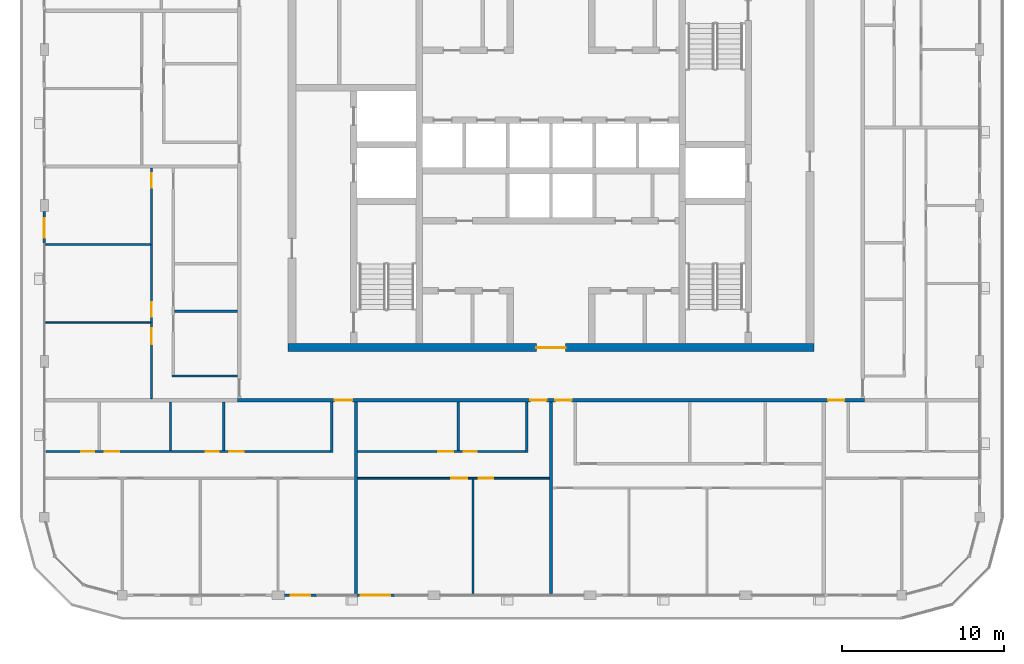
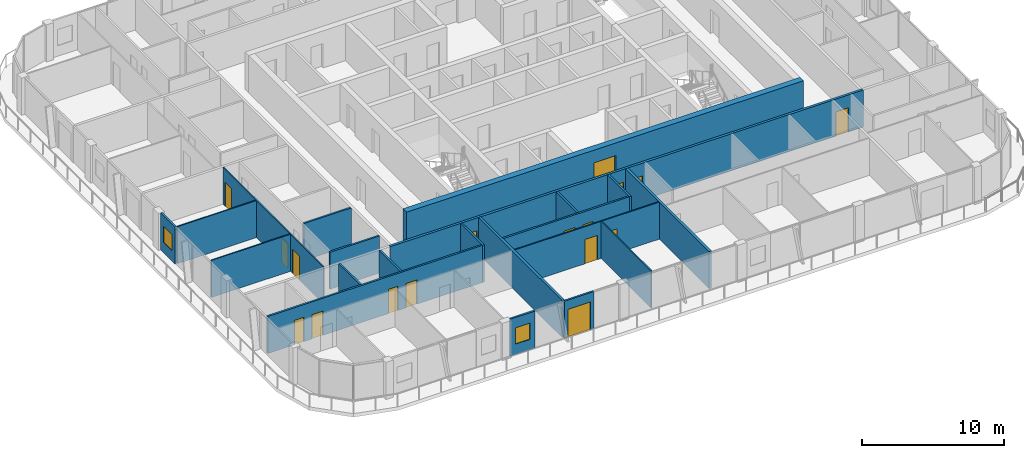
# One storey, part 9 of 21: 21 walls, 17 doors, 2 windows, 19 openings.
"""IFC4 building model written with IfcOpenShell, lengths in metres."""

from ifc_helpers import new_model, si_unit, direction, frame, frame_2d, origin, place, context, subcontext, project, spatial, rectangle, extrude, material, layer, layer_set, type_object, element, fill, save


model = new_model("IFC4")

# Units and contexts
model_context = context("Model", 3, precision=1e-05, world=origin(), true_north=direction((0.0, 1.0)))
body_context = subcontext(model_context, "Body", "Model", "MODEL_VIEW")
ifc_project = project(units=[si_unit("LENGTHUNIT", "METRE"), si_unit("AREAUNIT", "SQUARE_METRE"), si_unit("VOLUMEUNIT", "CUBIC_METRE"), si_unit("PLANEANGLEUNIT", "RADIAN"), si_unit("MASSUNIT", "GRAM", prefix="KILO")], contexts=[model_context])

# Site, building, storey
site_placement = place(None, origin())
site = spatial("IfcSite", under=ifc_project, at=site_placement, CompositionType="ELEMENT")
building_placement = place(site_placement, origin())
building = spatial("IfcBuilding", under=site, at=building_placement, Name="Madar Terraces", CompositionType="ELEMENT")
storey_placement = place(building_placement, frame((0.0, 0.0, 272.10009765625)))
storey = spatial("IfcBuildingStorey", under=building, at=storey_placement, Name="L71", CompositionType="ELEMENT", Elevation=272.10009765625)

# Wall, opening, door
ifc_material_1 = material(Name="Concrete C50/60", Category="concrete")
ifc_layer_1 = layer(ifc_material_1, 0.5)
ifc_layer_set_1 = layer_set([ifc_layer_1], Name="Concrete C50/60 (CRW6 RC wall 500)")
wall_type_1 = type_object("IfcWallType", Name="CRW6 RC wall 500", PredefinedType="SHEAR", material=ifc_layer_set_1)
wall_1_placement = place(storey_placement, frame((15.0, 15.25, 0.0), z_axis=(0.0, 0.0, 1.0), x_axis=(1.0, 0.0, 0.0)))
wall_1 = element("IfcWall", 1, at=wall_1_placement, inside=storey, type_object=wall_type_1, Name="CORE OUTER WALL", PredefinedType="SHEAR", context=body_context, shape_type="SweptSolid", body=[
    extrude(rectangle(XDim=32.39990234375, YDim=0.5, at=frame_2d((16.199951171875, 0.0))), origin(), (0.0, 0.0, 1.0), 3.199951171875),
])
opening_1_placement = place(wall_1_placement, frame((15.300048828125, 0.0, 0.0)))
opening_1 = element("IfcOpeningElement", 2, at=opening_1_placement, cuts=wall_1, Name="Opening KD1", PredefinedType="OPENING", context=body_context, shape_type="SweptSolid", body=[
    extrude(rectangle(XDim=1.800048828125, YDim=2.10009765625, at=frame_2d((0.89990234375, 1.050048828125))), frame((0.0, 0.260009765625, 0.0), z_axis=(0.0, -1.0, 0.0), x_axis=(1.0, 0.0, 0.0)), (0.0, 0.0, 1.0), 0.52001953125),
])
ifc_material_2 = material(Name="Steel door leaf", Category="steel")
door_type_1 = type_object("IfcDoorType", Name="Lobby door pair 1800 x 2100", OperationType="DOUBLE_DOOR_SINGLE_SWING", PredefinedType="DOOR", material=ifc_material_2)
door_1_placement = place(opening_1_placement, frame((1.800048828125, 0.0, 0.0), z_axis=(0.0, 0.0, 1.0), x_axis=(-1.0, 0.0, 0.0)))
door_1 = element("IfcDoor", 3, at=door_1_placement, inside=storey, type_object=door_type_1, Name="LIFT LOBBY DOOR", OperationType="DOUBLE_DOOR_SINGLE_SWING", OverallHeight=2.10009765625, OverallWidth=1.800048828125, PredefinedType="DOOR", context=body_context, shape_type="SweptSolid", body=[
    extrude(rectangle(XDim=1.800048828125, YDim=2.10009765625, at=frame_2d((0.89990234375, 1.050048828125))), frame((0.0, 0.02490234375, 0.0), z_axis=(0.0, -1.0, 0.0), x_axis=(1.0, 0.0, 0.0)), (0.0, 0.0, 1.0), 0.050048828125),
])
fill(opening_1, door_1)

# Wall, opening, window
ifc_material_3 = material(Name="Aluminium composite panel, black, over insulated backing", Category="aluminium")
ifc_layer_2 = layer(ifc_material_3, 0.14990234375)
ifc_layer_set_2 = layer_set([ifc_layer_2], Name="Facade bay panel 150")
wall_type_2 = type_object("IfcWallType", Name="Facade bay panel 150", PredefinedType="SOLIDWALL", material=ifc_layer_set_2)
wall_2_placement = place(storey_placement, frame((14.77490234375, 0.0, 0.0), z_axis=(0.0, 0.0, 1.0), x_axis=(1.0, 0.0, 0.0)))
wall_2 = element("IfcWall", 4, at=wall_2_placement, inside=storey, type_object=wall_type_2, Name="Facade bay panel", PredefinedType="SOLIDWALL", context=body_context, shape_type="SweptSolid", body=[
    extrude(rectangle(XDim=2.025146484375, YDim=0.14990234375, at=frame_2d((1.0126953125, 0.0))), origin(), (0.0, 0.0, 1.0), 3.199951171875),
])
opening_2_placement = place(wall_2_placement, frame((0.41259765625, 0.0, 0.89990234375)))
opening_2 = element("IfcOpeningElement", 5, at=opening_2_placement, cuts=wall_2, Name="Opening W1", PredefinedType="OPENING", context=body_context, shape_type="SweptSolid", body=[
    extrude(rectangle(XDim=1.199951171875, YDim=1.39990234375, at=frame_2d((0.60009765625, 0.699951171875))), frame((0.0, 0.0849609375, 0.0), z_axis=(0.0, -1.0, 0.0), x_axis=(1.0, 0.0, 0.0)), (0.0, 0.0, 1.0), 0.169921875),
])
ifc_material_4 = material(Name="Glass, clear, with black aluminium frame", Category="aluminium")
window_type = type_object("IfcWindowType", Name="Vent window 1200 x 1400", PartitioningType="SINGLE_PANEL", PredefinedType="WINDOW", material=ifc_material_4)
window_1_placement = place(opening_2_placement, origin())
window_1 = element("IfcWindow", 6, at=window_1_placement, inside=storey, type_object=window_type, Name="Operable vent window", OverallHeight=1.39990234375, OverallWidth=1.199951171875, PartitioningType="SINGLE_PANEL", PredefinedType="WINDOW", context=body_context, shape_type="SweptSolid", body=[
    extrude(rectangle(XDim=1.199951171875, YDim=1.39990234375, at=frame_2d((0.60009765625, 0.699951171875))), frame((0.0, 0.030029296875, 0.0), z_axis=(0.0, -1.0, 0.0), x_axis=(1.0, 0.0, 0.0)), (0.0, 0.0, 1.0), 0.06005859375),
])
fill(opening_2, window_1)

# Wall, opening, door
wall_3_placement = place(storey_placement, frame((19.199951171875, 0.0, 0.0), z_axis=(0.0, 0.0, 1.0), x_axis=(1.0, 0.0, 0.0)))
wall_3 = element("IfcWall", 7, at=wall_3_placement, inside=storey, type_object=wall_type_2, Name="Facade bay panel", PredefinedType="SOLIDWALL", context=body_context, shape_type="SweptSolid", body=[
    extrude(rectangle(XDim=2.400146484375, YDim=0.14990234375, at=frame_2d((1.2001953125, 0.0))), origin(), (0.0, 0.0, 1.0), 3.199951171875),
])
opening_3_placement = place(wall_3_placement, frame((0.300048828125, 0.0, 0.0)))
opening_3 = element("IfcOpeningElement", 8, at=opening_3_placement, cuts=wall_3, Name="Opening ED1", PredefinedType="OPENING", context=body_context, shape_type="SweptSolid", body=[
    extrude(rectangle(XDim=1.800048828125, YDim=2.39990234375, at=frame_2d((0.89990234375, 1.199951171875))), frame((0.0, 0.0849609375, 0.0), z_axis=(0.0, -1.0, 0.0), x_axis=(1.0, 0.0, 0.0)), (0.0, 0.0, 1.0), 0.169921875),
])
ifc_material_5 = material(Name="Glass, clear, with black aluminium frame", Category="aluminium")
door_type_2 = type_object("IfcDoorType", Name="Balcony and terrace sliding door 1800 x 2400", OperationType="SLIDING_TO_LEFT", PredefinedType="DOOR", material=ifc_material_5)
door_2_placement = place(opening_3_placement, origin())
door_2 = element("IfcDoor", 9, at=door_2_placement, inside=storey, type_object=door_type_2, Name="Balcony door", OperationType="SLIDING_TO_LEFT", OverallHeight=2.39990234375, OverallWidth=1.800048828125, PredefinedType="DOOR", context=body_context, shape_type="SweptSolid", body=[
    extrude(rectangle(XDim=1.800048828125, YDim=2.39990234375, at=frame_2d((0.89990234375, 1.199951171875))), frame((0.0, 0.02490234375, 0.0), z_axis=(0.0, -1.0, 0.0), x_axis=(1.0, 0.0, 0.0)), (0.0, 0.0, 1.0), 0.050048828125),
])
fill(opening_3, door_2)

# Wall, opening, window
wall_4_placement = place(storey_placement, frame((0.0, 23.625, 0.0), z_axis=(0.0, 0.0, 1.0), x_axis=(0.0, -1.0, 0.0)))
wall_4 = element("IfcWall", 10, at=wall_4_placement, inside=storey, type_object=wall_type_2, Name="Facade bay panel", PredefinedType="SOLIDWALL", context=body_context, shape_type="SweptSolid", body=[
    extrude(rectangle(XDim=2.02490234375, YDim=0.14990234375, at=frame_2d((1.012451171875, 0.0))), origin(), (0.0, 0.0, 1.0), 3.199951171875),
])
opening_4_placement = place(wall_4_placement, frame((0.41259765625, 0.0, 0.89990234375)))
opening_4 = element("IfcOpeningElement", 11, at=opening_4_placement, cuts=wall_4, Name="Opening W1", PredefinedType="OPENING", context=body_context, shape_type="SweptSolid", body=[
    extrude(rectangle(XDim=1.199951171875, YDim=1.39990234375, at=frame_2d((0.60009765625, 0.699951171875))), frame((0.0, 0.0849609375, 0.0), z_axis=(0.0, -1.0, 0.0), x_axis=(1.0, 0.0, 0.0)), (0.0, 0.0, 1.0), 0.169921875),
])
window_2_placement = place(opening_4_placement, origin())
window_2 = element("IfcWindow", 12, at=window_2_placement, inside=storey, type_object=window_type, Name="Operable vent window", OverallHeight=1.39990234375, OverallWidth=1.199951171875, PartitioningType="SINGLE_PANEL", PredefinedType="WINDOW", context=body_context, shape_type="SweptSolid", body=[
    extrude(rectangle(XDim=1.199951171875, YDim=1.39990234375, at=frame_2d((0.60009765625, 0.699951171875))), frame((0.0, 0.030029296875, 0.0), z_axis=(0.0, -1.0, 0.0), x_axis=(1.0, 0.0, 0.0)), (0.0, 0.0, 1.0), 0.06005859375),
])
fill(opening_4, window_2)

# Wall
ifc_material_6 = material(Name="Gypsum board on steel studs", Category="steel")
ifc_layer_3 = layer(ifc_material_6, 0.10009765625)
ifc_layer_set_3 = layer_set([ifc_layer_3], Name="Flat partition 100")
wall_type_3 = type_object("IfcWallType", Name="Flat partition 100", PredefinedType="PARTITIONING", material=ifc_layer_set_3)
wall_5_placement = place(storey_placement, frame((26.39990234375, 7.14990234375, 0.0), z_axis=(0.0, 0.0, 1.0), x_axis=(0.0, -1.0, 0.0)))
element("IfcWall", 13, at=wall_5_placement, inside=storey, type_object=wall_type_3, Name="Flat partition 100", PredefinedType="PARTITIONING", context=body_context, shape_type="SweptSolid", body=[
    extrude(rectangle(XDim=7.0498046875, YDim=0.10009765625, at=frame_2d((3.52490234375, 0.0))), origin(), (0.0, 0.0, 1.0), 3.199951171875),
])

# Wall, openings, doors
wall_6_placement = place(storey_placement, frame((31.10009765625, 7.199951171875, 0.0), z_axis=(0.0, 0.0, 1.0), x_axis=(-1.0, 0.0, 0.0)))
wall_6 = element("IfcWall", 14, at=wall_6_placement, inside=storey, type_object=wall_type_3, Name="Flat partition 100", PredefinedType="PARTITIONING", context=body_context, shape_type="SweptSolid", body=[
    extrude(rectangle(XDim=11.800048828125, YDim=0.10009765625, at=frame_2d((5.89990234375, 0.0))), origin(), (0.0, 0.0, 1.0), 3.199951171875),
])
opening_5_placement = place(wall_6_placement, frame((3.449951171875, 0.0, 0.0)))
opening_5 = element("IfcOpeningElement", 15, at=opening_5_placement, cuts=wall_6, Name="Opening D2", PredefinedType="OPENING", context=body_context, shape_type="SweptSolid", body=[
    extrude(rectangle(XDim=0.89990234375, YDim=2.10009765625, at=frame_2d((0.449951171875, 1.050048828125))), frame((0.0, 0.06005859375, 0.0), z_axis=(0.0, -1.0, 0.0), x_axis=(1.0, 0.0, 0.0)), (0.0, 0.0, 1.0), 0.1201171875),
])
opening_6_placement = place(wall_6_placement, frame((5.050048828125, 0.0, 0.0)))
opening_6 = element("IfcOpeningElement", 16, at=opening_6_placement, cuts=wall_6, Name="Opening D3", PredefinedType="OPENING", context=body_context, shape_type="SweptSolid", body=[
    extrude(rectangle(XDim=1.0, YDim=2.10009765625, at=frame_2d((0.5, 1.050048828125))), frame((0.0, 0.06005859375, 0.0), z_axis=(0.0, -1.0, 0.0), x_axis=(1.0, 0.0, 0.0)), (0.0, 0.0, 1.0), 0.1201171875),
])
ifc_material_7 = material(Name="Timber door leaf", Category="wood")
door_type_3 = type_object("IfcDoorType", Name="Flat living room door 1000", OperationType="NOTDEFINED", PredefinedType="DOOR", material=ifc_material_7)
door_3_placement = place(opening_6_placement, origin())
door_3 = element("IfcDoor", 17, at=door_3_placement, inside=storey, type_object=door_type_3, Name="Flat living room door 1000", OperationType="SINGLE_SWING_LEFT", OverallHeight=2.10009765625, OverallWidth=1.0, PredefinedType="DOOR", context=body_context, shape_type="SweptSolid", body=[
    extrude(rectangle(XDim=1.0, YDim=2.10009765625, at=frame_2d((0.5, 1.050048828125))), frame((0.0, 0.02490234375, 0.0), z_axis=(0.0, -1.0, 0.0), x_axis=(1.0, 0.0, 0.0)), (0.0, 0.0, 1.0), 0.050048828125),
])
fill(opening_6, door_3)
ifc_material_8 = material(Name="Timber door leaf", Category="wood")
door_type_4 = type_object("IfcDoorType", Name="Flat room door 900", OperationType="NOTDEFINED", PredefinedType="DOOR", material=ifc_material_8)
door_4_placement = place(opening_5_placement, origin())
door_4 = element("IfcDoor", 18, at=door_4_placement, inside=storey, type_object=door_type_4, Name="Flat room door 900", OperationType="SINGLE_SWING_RIGHT", OverallHeight=2.10009765625, OverallWidth=0.89990234375, PredefinedType="DOOR", context=body_context, shape_type="SweptSolid", body=[
    extrude(rectangle(XDim=0.89990234375, YDim=2.10009765625, at=frame_2d((0.449951171875, 1.050048828125))), frame((0.0, 0.02490234375, 0.0), z_axis=(0.0, -1.0, 0.0), x_axis=(1.0, 0.0, 0.0)), (0.0, 0.0, 1.0), 0.050048828125),
])
fill(opening_5, door_4)

# Walls
for number, where, z_axis, x_axis, name in (
    (19, (6.550048828125, 16.800048828125, 0.0), (0.0, 0.0, 1.0), (-1.0, 0.0, 0.0), "Flat partition 100"),
    (20, (6.550048828125, 21.60009765625, 0.0), (0.0, 0.0, 1.0), (-1.0, 0.0, 0.0), "Flat partition 100"),
):
    element("IfcWall", number, at=place(storey_placement, frame(where, z_axis=z_axis, x_axis=x_axis)), inside=storey, type_object=wall_type_3, Name=name, PredefinedType="PARTITIONING", context=body_context, shape_type="SweptSolid", body=[
        extrude(rectangle(XDim=6.449951171875, YDim=0.10009765625, at=frame_2d((3.22509765625, 0.0))), origin(), (0.0, 0.0, 1.0), 3.199951171875),
    ])

# Wall, openings, doors
wall_7_placement = place(storey_placement, frame((6.60009765625, 12.10009765625, 0.0), z_axis=(0.0, 0.0, 1.0), x_axis=(0.0, 1.0, 0.0)))
wall_7 = element("IfcWall", 21, at=wall_7_placement, inside=storey, type_object=wall_type_3, Name="Flat partition 100", PredefinedType="PARTITIONING", context=body_context, shape_type="SweptSolid", body=[
    extrude(rectangle(XDim=14.199951171875, YDim=0.10009765625, at=frame_2d((7.10009765625, 0.0))), origin(), (0.0, 0.0, 1.0), 3.199951171875),
])
opening_7_placement = place(wall_7_placement, frame((3.35009765625, 0.0, 0.0)))
opening_7 = element("IfcOpeningElement", 22, at=opening_7_placement, cuts=wall_7, Name="Opening D3", PredefinedType="OPENING", context=body_context, shape_type="SweptSolid", body=[
    extrude(rectangle(XDim=1.0, YDim=2.10009765625, at=frame_2d((0.5, 1.050048828125))), frame((0.0, 0.06005859375, 0.0), z_axis=(0.0, -1.0, 0.0), x_axis=(1.0, 0.0, 0.0)), (0.0, 0.0, 1.0), 0.1201171875),
])
opening_8_placement = place(wall_7_placement, frame((5.050048828125, 0.0, 0.0)))
opening_8 = element("IfcOpeningElement", 23, at=opening_8_placement, cuts=wall_7, Name="Opening D2", PredefinedType="OPENING", context=body_context, shape_type="SweptSolid", body=[
    extrude(rectangle(XDim=0.89990234375, YDim=2.10009765625, at=frame_2d((0.449951171875, 1.050048828125))), frame((0.0, 0.06005859375, 0.0), z_axis=(0.0, -1.0, 0.0), x_axis=(1.0, 0.0, 0.0)), (0.0, 0.0, 1.0), 0.1201171875),
])
opening_9_placement = place(wall_7_placement, frame((13.0, 0.0, 0.0)))
opening_9 = element("IfcOpeningElement", 24, at=opening_9_placement, cuts=wall_7, Name="Opening D2", PredefinedType="OPENING", context=body_context, shape_type="SweptSolid", body=[
    extrude(rectangle(XDim=0.89990234375, YDim=2.10009765625, at=frame_2d((0.449951171875, 1.050048828125))), frame((0.0, 0.06005859375, 0.0), z_axis=(0.0, -1.0, 0.0), x_axis=(1.0, 0.0, 0.0)), (0.0, 0.0, 1.0), 0.1201171875),
])
door_5_placement = place(opening_7_placement, origin())
door_5 = element("IfcDoor", 25, at=door_5_placement, inside=storey, type_object=door_type_3, Name="Flat living room door 1000", OperationType="SINGLE_SWING_RIGHT", OverallHeight=2.10009765625, OverallWidth=1.0, PredefinedType="DOOR", context=body_context, shape_type="SweptSolid", body=[
    extrude(rectangle(XDim=1.0, YDim=2.10009765625, at=frame_2d((0.5, 1.050048828125))), frame((0.0, 0.02490234375, 0.0), z_axis=(0.0, -1.0, 0.0), x_axis=(1.0, 0.0, 0.0)), (0.0, 0.0, 1.0), 0.050048828125),
])
fill(opening_7, door_5)
door_6_placement = place(opening_8_placement, origin())
door_6 = element("IfcDoor", 26, at=door_6_placement, inside=storey, type_object=door_type_4, Name="Flat room door 900", OperationType="SINGLE_SWING_LEFT", OverallHeight=2.10009765625, OverallWidth=0.89990234375, PredefinedType="DOOR", context=body_context, shape_type="SweptSolid", body=[
    extrude(rectangle(XDim=0.89990234375, YDim=2.10009765625, at=frame_2d((0.449951171875, 1.050048828125))), frame((0.0, 0.02490234375, 0.0), z_axis=(0.0, -1.0, 0.0), x_axis=(1.0, 0.0, 0.0)), (0.0, 0.0, 1.0), 0.050048828125),
])
fill(opening_8, door_6)
door_7_placement = place(opening_9_placement, origin())
door_7 = element("IfcDoor", 27, at=door_7_placement, inside=storey, type_object=door_type_4, Name="Flat room door 900", OperationType="SINGLE_SWING_RIGHT", OverallHeight=2.10009765625, OverallWidth=0.89990234375, PredefinedType="DOOR", context=body_context, shape_type="SweptSolid", body=[
    extrude(rectangle(XDim=0.89990234375, YDim=2.10009765625, at=frame_2d((0.449951171875, 1.050048828125))), frame((0.0, 0.02490234375, 0.0), z_axis=(0.0, -1.0, 0.0), x_axis=(1.0, 0.0, 0.0)), (0.0, 0.0, 1.0), 0.050048828125),
])
fill(opening_9, door_7)

ifc_material_9 = material(Name="Lightweight blockwork", Category="masonry")
ifc_layer_4 = layer(ifc_material_9, 0.199951171875)
ifc_layer_set_4 = layer_set([ifc_layer_4], Name="Flat party and entrance wall 200")
wall_type_4 = type_object("IfcWallType", Name="Flat party and entrance wall 200", PredefinedType="PARTITIONING", material=ifc_layer_set_4)
wall_8_placement = place(storey_placement, frame((50.5, 12.0, 0.0), z_axis=(0.0, 0.0, 1.0), x_axis=(-1.0, 0.0, 0.0)))
wall_8 = element("IfcWall", 28, at=wall_8_placement, inside=storey, type_object=wall_type_4, Name="Flat party and entrance wall 200", PredefinedType="PARTITIONING", context=body_context, shape_type="SweptSolid", body=[
    extrude(rectangle(XDim=38.60009765625, YDim=0.199951171875, at=frame_2d((19.300048828125, 0.0))), origin(), (0.0, 0.0, 1.0), 3.199951171875),
])
opening_10_placement = place(wall_8_placement, frame((31.52490234375, 0.0, 0.0)))
opening_10 = element("IfcOpeningElement", 29, at=opening_10_placement, cuts=wall_8, Name="Opening D6", PredefinedType="OPENING", context=body_context, shape_type="SweptSolid", body=[
    extrude(rectangle(XDim=1.10009765625, YDim=2.10009765625, at=frame_2d((0.550048828125, 1.050048828125))), frame((0.0, 0.10986328125, 0.0), z_axis=(0.0, -1.0, 0.0), x_axis=(1.0, 0.0, 0.0)), (0.0, 0.0, 1.0), 0.219970703125),
])
opening_11_placement = place(wall_8_placement, frame((19.574951171875, 0.0, 0.0)))
opening_11 = element("IfcOpeningElement", 30, at=opening_11_placement, cuts=wall_8, Name="Opening D1", PredefinedType="OPENING", context=body_context, shape_type="SweptSolid", body=[
    extrude(rectangle(XDim=1.0, YDim=2.10009765625, at=frame_2d((0.5, 1.050048828125))), frame((0.0, 0.10986328125, 0.0), z_axis=(0.0, -1.0, 0.0), x_axis=(1.0, 0.0, 0.0)), (0.0, 0.0, 1.0), 0.219970703125),
])
opening_12_placement = place(wall_8_placement, frame((18.02490234375, 0.0, 0.0)))
opening_12 = element("IfcOpeningElement", 31, at=opening_12_placement, cuts=wall_8, Name="Opening D1", PredefinedType="OPENING", context=body_context, shape_type="SweptSolid", body=[
    extrude(rectangle(XDim=1.0, YDim=2.10009765625, at=frame_2d((0.5, 1.050048828125))), frame((0.0, 0.10986328125, 0.0), z_axis=(0.0, -1.0, 0.0), x_axis=(1.0, 0.0, 0.0)), (0.0, 0.0, 1.0), 0.219970703125),
])
opening_13_placement = place(wall_8_placement, frame((1.22509765625, 0.0, 0.0)))
opening_13 = element("IfcOpeningElement", 32, at=opening_13_placement, cuts=wall_8, Name="Opening D1", PredefinedType="OPENING", context=body_context, shape_type="SweptSolid", body=[
    extrude(rectangle(XDim=1.0, YDim=2.10009765625, at=frame_2d((0.5, 1.050048828125))), frame((0.0, 0.10986328125, 0.0), z_axis=(0.0, -1.0, 0.0), x_axis=(1.0, 0.0, 0.0)), (0.0, 0.0, 1.0), 0.219970703125),
])
ifc_material_10 = material(Name="Timber fire door leaf", Category="wood")
door_type_5 = type_object("IfcDoorType", Name="Flat entrance door 1000 FD30S", OperationType="NOTDEFINED", PredefinedType="DOOR", material=ifc_material_10)
door_8_placement = place(opening_11_placement, origin())
door_8 = element("IfcDoor", 33, at=door_8_placement, inside=storey, type_object=door_type_5, Name="Flat entrance door 1000 FD30S", OperationType="SINGLE_SWING_LEFT", OverallHeight=2.10009765625, OverallWidth=1.0, PredefinedType="DOOR", context=body_context, shape_type="SweptSolid", body=[
    extrude(rectangle(XDim=1.0, YDim=2.10009765625, at=frame_2d((0.5, 1.050048828125))), frame((0.0, 0.02490234375, 0.0), z_axis=(0.0, -1.0, 0.0), x_axis=(1.0, 0.0, 0.0)), (0.0, 0.0, 1.0), 0.050048828125),
])
fill(opening_11, door_8)
door_9_placement = place(opening_12_placement, origin())
door_9 = element("IfcDoor", 34, at=door_9_placement, inside=storey, type_object=door_type_5, Name="Flat entrance door 1000 FD30S", OperationType="SINGLE_SWING_RIGHT", OverallHeight=2.10009765625, OverallWidth=1.0, PredefinedType="DOOR", context=body_context, shape_type="SweptSolid", body=[
    extrude(rectangle(XDim=1.0, YDim=2.10009765625, at=frame_2d((0.5, 1.050048828125))), frame((0.0, 0.02490234375, 0.0), z_axis=(0.0, -1.0, 0.0), x_axis=(1.0, 0.0, 0.0)), (0.0, 0.0, 1.0), 0.050048828125),
])
fill(opening_12, door_9)
door_10_placement = place(opening_13_placement, origin())
door_10 = element("IfcDoor", 35, at=door_10_placement, inside=storey, type_object=door_type_5, Name="Flat entrance door 1000 FD30S", OperationType="SINGLE_SWING_RIGHT", OverallHeight=2.10009765625, OverallWidth=1.0, PredefinedType="DOOR", context=body_context, shape_type="SweptSolid", body=[
    extrude(rectangle(XDim=1.0, YDim=2.10009765625, at=frame_2d((0.5, 1.050048828125))), frame((0.0, 0.02490234375, 0.0), z_axis=(0.0, -1.0, 0.0), x_axis=(1.0, 0.0, 0.0)), (0.0, 0.0, 1.0), 0.050048828125),
])
fill(opening_13, door_10)
ifc_material_11 = material(Name="Timber fire door leaf", Category="wood")
door_type_6 = type_object("IfcDoorType", Name="Flat entrance door 1100 FD30S", OperationType="NOTDEFINED", PredefinedType="DOOR", material=ifc_material_11)
door_11_placement = place(opening_10_placement, origin())
door_11 = element("IfcDoor", 36, at=door_11_placement, inside=storey, type_object=door_type_6, Name="Flat entrance door 1100 FD30S", OperationType="SINGLE_SWING_LEFT", OverallHeight=2.10009765625, OverallWidth=1.10009765625, PredefinedType="DOOR", context=body_context, shape_type="SweptSolid", body=[
    extrude(rectangle(XDim=1.10009765625, YDim=2.10009765625, at=frame_2d((0.550048828125, 1.050048828125))), frame((0.0, 0.02490234375, 0.0), z_axis=(0.0, -1.0, 0.0), x_axis=(1.0, 0.0, 0.0)), (0.0, 0.0, 1.0), 0.050048828125),
])
fill(opening_10, door_11)

# Walls
for number, where, z_axis, x_axis, name in (
    (37, (19.199951171875, 11.89990234375, 0.0), (0.0, 0.0, 1.0), (0.0, -1.0, 0.0), "Flat party and entrance wall 200"),
    (38, (31.199951171875, 11.89990234375, 0.0), (0.0, 0.0, 1.0), (0.0, -1.0, 0.0), "Flat party and entrance wall 200"),
):
    element("IfcWall", number, at=place(storey_placement, frame(where, z_axis=z_axis, x_axis=x_axis)), inside=storey, type_object=wall_type_4, Name=name, PredefinedType="PARTITIONING", context=body_context, shape_type="SweptSolid", body=[
        extrude(rectangle(XDim=11.7998046875, YDim=0.199951171875, at=frame_2d((5.89990234375, 0.0))), origin(), (0.0, 0.0, 1.0), 3.199951171875),
    ])
ifc_material_12 = material(Name="Lightweight blockwork", Category="masonry")
ifc_layer_5 = layer(ifc_material_12, 0.14990234375)
ifc_layer_set_5 = layer_set([ifc_layer_5], Name="Flat wet-room partition 150")
wall_type_5 = type_object("IfcWallType", Name="Flat wet-room partition 150", PredefinedType="PARTITIONING", material=ifc_layer_set_5)
for number, where, z_axis, x_axis, name in (
    (39, (11.052978515625, 11.89990234375, 0.0), (0.0, 0.0, 1.0), (0.0, -1.0, 0.0), "Flat wet-room partition 150"),
    (40, (7.76708984375, 11.89990234375, 0.0), (0.0, 0.0, 1.0), (0.0, -1.0, 0.0), "Flat wet-room partition 150"),
):
    element("IfcWall", number, at=place(storey_placement, frame(where, z_axis=z_axis, x_axis=x_axis)), inside=storey, type_object=wall_type_5, Name=name, PredefinedType="PARTITIONING", context=body_context, shape_type="SweptSolid", body=[
        extrude(rectangle(XDim=2.974853515625, YDim=0.14990234375, at=frame_2d((1.4873046875, 0.0))), origin(), (0.0, 0.0, 1.0), 3.199951171875),
    ])
wall_9_placement = place(storey_placement, frame((17.699951171875, 11.89990234375, 0.0), z_axis=(0.0, 0.0, 1.0), x_axis=(0.0, -1.0, 0.0)))
element("IfcWall", 41, at=wall_9_placement, inside=storey, type_object=wall_type_5, Name="Flat wet-room partition 150", PredefinedType="PARTITIONING", context=body_context, shape_type="SweptSolid", body=[
    extrude(rectangle(XDim=3.125, YDim=0.14990234375, at=frame_2d((1.5625, 0.0))), origin(), (0.0, 0.0, 1.0), 3.199951171875),
])

# Wall, openings, doors
wall_10_placement = place(storey_placement, frame((0.10009765625, 8.85009765625, 0.0), z_axis=(0.0, 0.0, 1.0), x_axis=(1.0, 0.0, 0.0)))
wall_10 = element("IfcWall", 42, at=wall_10_placement, inside=storey, type_object=wall_type_5, Name="Flat wet-room partition 150", PredefinedType="PARTITIONING", context=body_context, shape_type="SweptSolid", body=[
    extrude(rectangle(XDim=17.52490234375, YDim=0.14990234375, at=frame_2d((8.762451171875, 0.0))), origin(), (0.0, 0.0, 1.0), 3.199951171875),
])
opening_14_placement = place(wall_10_placement, frame((11.278076171875, 0.0, 0.0)))
opening_14 = element("IfcOpeningElement", 43, at=opening_14_placement, cuts=wall_10, Name="Opening D2", PredefinedType="OPENING", context=body_context, shape_type="SweptSolid", body=[
    extrude(rectangle(XDim=0.89990234375, YDim=2.10009765625, at=frame_2d((0.449951171875, 1.050048828125))), frame((0.0, 0.0849609375, 0.0), z_axis=(0.0, -1.0, 0.0), x_axis=(1.0, 0.0, 0.0)), (0.0, 0.0, 1.0), 0.169921875),
])
opening_15_placement = place(wall_10_placement, frame((9.828125, 0.0, 0.0)))
opening_15 = element("IfcOpeningElement", 44, at=opening_15_placement, cuts=wall_10, Name="Opening D4", PredefinedType="OPENING", context=body_context, shape_type="SweptSolid", body=[
    extrude(rectangle(XDim=0.800048828125, YDim=2.10009765625, at=frame_2d((0.39990234375, 1.050048828125))), frame((0.0, 0.0849609375, 0.0), z_axis=(0.0, -1.0, 0.0), x_axis=(1.0, 0.0, 0.0)), (0.0, 0.0, 1.0), 0.169921875),
])
opening_16_placement = place(wall_10_placement, frame((3.611083984375, 0.0, 0.0)))
opening_16 = element("IfcOpeningElement", 45, at=opening_16_placement, cuts=wall_10, Name="Opening D5", PredefinedType="OPENING", context=body_context, shape_type="SweptSolid", body=[
    extrude(rectangle(XDim=0.89990234375, YDim=2.10009765625, at=frame_2d((0.449951171875, 1.050048828125))), frame((0.0, 0.0849609375, 0.0), z_axis=(0.0, -1.0, 0.0), x_axis=(1.0, 0.0, 0.0)), (0.0, 0.0, 1.0), 0.169921875),
])
opening_17_placement = place(wall_10_placement, frame((2.160888671875, 0.0, 0.0)))
opening_17 = element("IfcOpeningElement", 46, at=opening_17_placement, cuts=wall_10, Name="Opening D7", PredefinedType="OPENING", context=body_context, shape_type="SweptSolid", body=[
    extrude(rectangle(XDim=0.800048828125, YDim=2.10009765625, at=frame_2d((0.39990234375, 1.050048828125))), frame((0.0, 0.0849609375, 0.0), z_axis=(0.0, -1.0, 0.0), x_axis=(1.0, 0.0, 0.0)), (0.0, 0.0, 1.0), 0.169921875),
])
ifc_material_13 = material(Name="Timber door leaf", Category="wood")
door_type_7 = type_object("IfcDoorType", Name="Flat accessible bathroom door 900", OperationType="NOTDEFINED", PredefinedType="DOOR", material=ifc_material_13)
door_12_placement = place(opening_16_placement, origin())
door_12 = element("IfcDoor", 47, at=door_12_placement, inside=storey, type_object=door_type_7, Name="Flat accessible bathroom door 900", OperationType="SINGLE_SWING_LEFT", OverallHeight=2.10009765625, OverallWidth=0.89990234375, PredefinedType="DOOR", context=body_context, shape_type="SweptSolid", body=[
    extrude(rectangle(XDim=0.89990234375, YDim=2.10009765625, at=frame_2d((0.449951171875, 1.050048828125))), frame((0.0, 0.02490234375, 0.0), z_axis=(0.0, -1.0, 0.0), x_axis=(1.0, 0.0, 0.0)), (0.0, 0.0, 1.0), 0.050048828125),
])
fill(opening_16, door_12)
ifc_material_14 = material(Name="Timber door leaf", Category="wood")
door_type_8 = type_object("IfcDoorType", Name="Flat bathroom door 800", OperationType="NOTDEFINED", PredefinedType="DOOR", material=ifc_material_14)
door_13_placement = place(opening_15_placement, origin())
door_13 = element("IfcDoor", 48, at=door_13_placement, inside=storey, type_object=door_type_8, Name="Flat bathroom door 800", OperationType="SINGLE_SWING_RIGHT", OverallHeight=2.10009765625, OverallWidth=0.800048828125, PredefinedType="DOOR", context=body_context, shape_type="SweptSolid", body=[
    extrude(rectangle(XDim=0.800048828125, YDim=2.10009765625, at=frame_2d((0.39990234375, 1.050048828125))), frame((0.0, 0.02490234375, 0.0), z_axis=(0.0, -1.0, 0.0), x_axis=(1.0, 0.0, 0.0)), (0.0, 0.0, 1.0), 0.050048828125),
])
fill(opening_15, door_13)
door_14_placement = place(opening_14_placement, origin())
door_14 = element("IfcDoor", 49, at=door_14_placement, inside=storey, type_object=door_type_4, Name="Flat room door 900", OperationType="SINGLE_SWING_LEFT", OverallHeight=2.10009765625, OverallWidth=0.89990234375, PredefinedType="DOOR", context=body_context, shape_type="SweptSolid", body=[
    extrude(rectangle(XDim=0.89990234375, YDim=2.10009765625, at=frame_2d((0.449951171875, 1.050048828125))), frame((0.0, 0.02490234375, 0.0), z_axis=(0.0, -1.0, 0.0), x_axis=(1.0, 0.0, 0.0)), (0.0, 0.0, 1.0), 0.050048828125),
])
fill(opening_14, door_14)
ifc_material_15 = material(Name="Timber door leaf", Category="wood")
door_type_9 = type_object("IfcDoorType", Name="Flat utility door 800", OperationType="NOTDEFINED", PredefinedType="DOOR", material=ifc_material_15)
door_15_placement = place(opening_17_placement, origin())
door_15 = element("IfcDoor", 50, at=door_15_placement, inside=storey, type_object=door_type_9, Name="Flat utility door 800", OperationType="SINGLE_SWING_RIGHT", OverallHeight=2.10009765625, OverallWidth=0.800048828125, PredefinedType="DOOR", context=body_context, shape_type="SweptSolid", body=[
    extrude(rectangle(XDim=0.800048828125, YDim=2.10009765625, at=frame_2d((0.39990234375, 1.050048828125))), frame((0.0, 0.02490234375, 0.0), z_axis=(0.0, -1.0, 0.0), x_axis=(1.0, 0.0, 0.0)), (0.0, 0.0, 1.0), 0.050048828125),
])
fill(opening_17, door_15)

# Walls
wall_11_placement = place(storey_placement, frame((25.4951171875, 11.89990234375, 0.0), z_axis=(0.0, 0.0, 1.0), x_axis=(0.0, -1.0, 0.0)))
element("IfcWall", 51, at=wall_11_placement, inside=storey, type_object=wall_type_5, Name="Flat wet-room partition 150", PredefinedType="PARTITIONING", context=body_context, shape_type="SweptSolid", body=[
    extrude(rectangle(XDim=2.974853515625, YDim=0.14990234375, at=frame_2d((1.4873046875, 0.0))), origin(), (0.0, 0.0, 1.0), 3.199951171875),
])
wall_12_placement = place(storey_placement, frame((29.699951171875, 11.89990234375, 0.0), z_axis=(0.0, 0.0, 1.0), x_axis=(0.0, -1.0, 0.0)))
element("IfcWall", 52, at=wall_12_placement, inside=storey, type_object=wall_type_5, Name="Flat wet-room partition 150", PredefinedType="PARTITIONING", context=body_context, shape_type="SweptSolid", body=[
    extrude(rectangle(XDim=3.125, YDim=0.14990234375, at=frame_2d((1.5625, 0.0))), origin(), (0.0, 0.0, 1.0), 3.199951171875),
])

# Wall, openings, doors
wall_13_placement = place(storey_placement, frame((19.300048828125, 8.85009765625, 0.0), z_axis=(0.0, 0.0, 1.0), x_axis=(1.0, 0.0, 0.0)))
wall_13 = element("IfcWall", 53, at=wall_13_placement, inside=storey, type_object=wall_type_5, Name="Flat wet-room partition 150", PredefinedType="PARTITIONING", context=body_context, shape_type="SweptSolid", body=[
    extrude(rectangle(XDim=10.324951171875, YDim=0.14990234375, at=frame_2d((5.16259765625, 0.0))), origin(), (0.0, 0.0, 1.0), 3.199951171875),
])
opening_18_placement = place(wall_13_placement, frame((6.52001953125, 0.0, 0.0)))
opening_18 = element("IfcOpeningElement", 54, at=opening_18_placement, cuts=wall_13, Name="Opening D4", PredefinedType="OPENING", context=body_context, shape_type="SweptSolid", body=[
    extrude(rectangle(XDim=0.800048828125, YDim=2.10009765625, at=frame_2d((0.39990234375, 1.050048828125))), frame((0.0, 0.0849609375, 0.0), z_axis=(0.0, -1.0, 0.0), x_axis=(1.0, 0.0, 0.0)), (0.0, 0.0, 1.0), 0.169921875),
])
opening_19_placement = place(wall_13_placement, frame((4.969970703125, 0.0, 0.0)))
opening_19 = element("IfcOpeningElement", 55, at=opening_19_placement, cuts=wall_13, Name="Opening D2", PredefinedType="OPENING", context=body_context, shape_type="SweptSolid", body=[
    extrude(rectangle(XDim=0.89990234375, YDim=2.10009765625, at=frame_2d((0.449951171875, 1.050048828125))), frame((0.0, 0.0849609375, 0.0), z_axis=(0.0, -1.0, 0.0), x_axis=(1.0, 0.0, 0.0)), (0.0, 0.0, 1.0), 0.169921875),
])
door_16_placement = place(opening_18_placement, origin())
door_16 = element("IfcDoor", 56, at=door_16_placement, inside=storey, type_object=door_type_8, Name="Flat bathroom door 800", OperationType="SINGLE_SWING_LEFT", OverallHeight=2.10009765625, OverallWidth=0.800048828125, PredefinedType="DOOR", context=body_context, shape_type="SweptSolid", body=[
    extrude(rectangle(XDim=0.800048828125, YDim=2.10009765625, at=frame_2d((0.39990234375, 1.050048828125))), frame((0.0, 0.02490234375, 0.0), z_axis=(0.0, -1.0, 0.0), x_axis=(1.0, 0.0, 0.0)), (0.0, 0.0, 1.0), 0.050048828125),
])
fill(opening_18, door_16)
door_17_placement = place(opening_19_placement, origin())
door_17 = element("IfcDoor", 57, at=door_17_placement, inside=storey, type_object=door_type_4, Name="Flat room door 900", OperationType="SINGLE_SWING_RIGHT", OverallHeight=2.10009765625, OverallWidth=0.89990234375, PredefinedType="DOOR", context=body_context, shape_type="SweptSolid", body=[
    extrude(rectangle(XDim=0.89990234375, YDim=2.10009765625, at=frame_2d((0.449951171875, 1.050048828125))), frame((0.0, 0.02490234375, 0.0), z_axis=(0.0, -1.0, 0.0), x_axis=(1.0, 0.0, 0.0)), (0.0, 0.0, 1.0), 0.050048828125),
])
fill(opening_19, door_17)

# Walls
wall_14_placement = place(storey_placement, frame((11.89990234375, 17.490478515625, 0.0), z_axis=(0.0, 0.0, 1.0), x_axis=(-1.0, 0.0, 0.0)))
element("IfcWall", 58, at=wall_14_placement, inside=storey, type_object=wall_type_5, Name="Flat wet-room partition 150", PredefinedType="PARTITIONING", context=body_context, shape_type="SweptSolid", body=[
    extrude(rectangle(XDim=3.875, YDim=0.14990234375, at=frame_2d((1.9375, 0.0))), origin(), (0.0, 0.0, 1.0), 3.199951171875),
])
wall_15_placement = place(storey_placement, frame((11.89990234375, 13.5, 0.0), z_axis=(0.0, 0.0, 1.0), x_axis=(-1.0, 0.0, 0.0)))
element("IfcWall", 59, at=wall_15_placement, inside=storey, type_object=wall_type_5, Name="Flat wet-room partition 150", PredefinedType="PARTITIONING", context=body_context, shape_type="SweptSolid", body=[
    extrude(rectangle(XDim=4.02490234375, YDim=0.14990234375, at=frame_2d((2.012451171875, 0.0))), origin(), (0.0, 0.0, 1.0), 3.199951171875),
])

save(model, "model.ifc")
